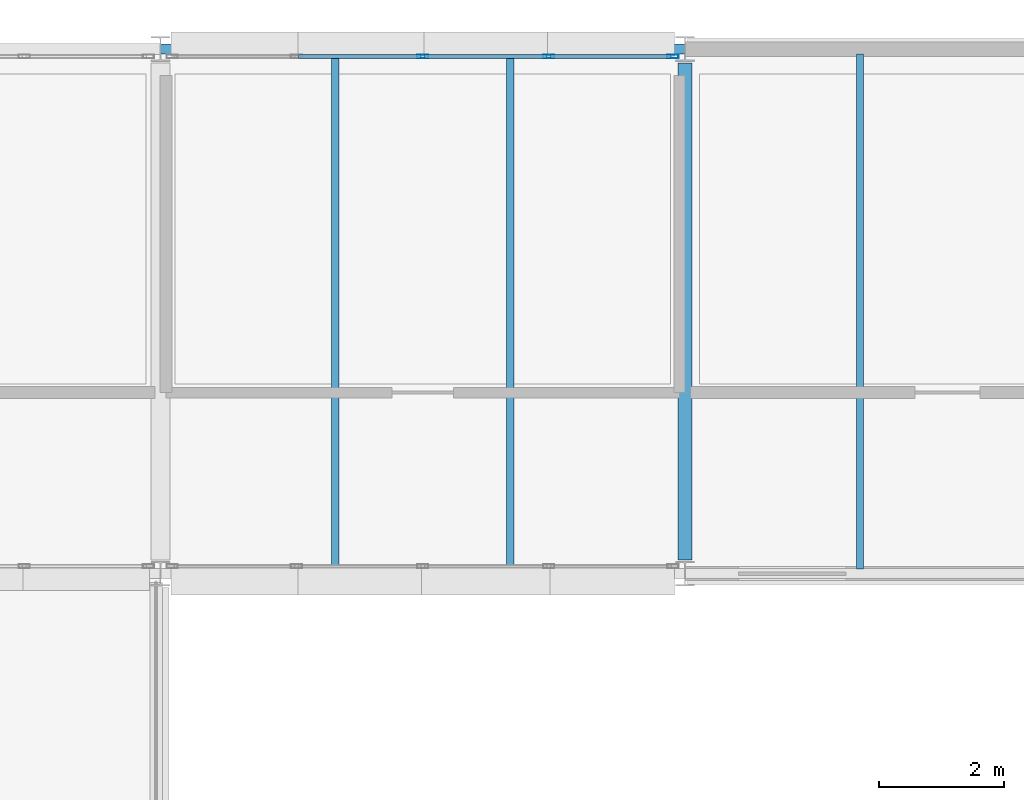
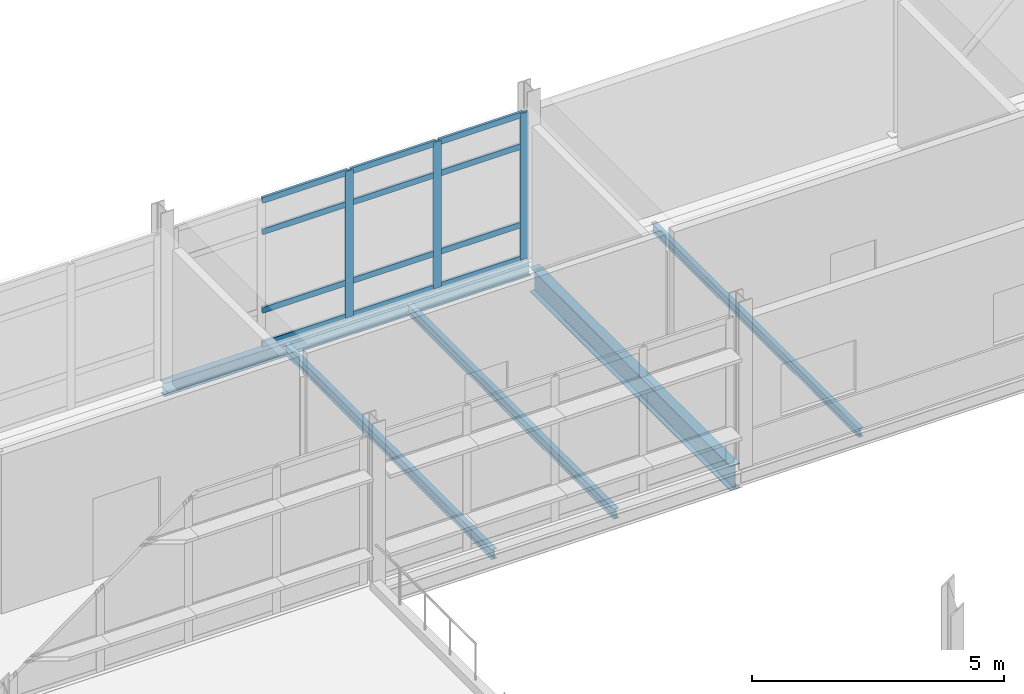
# One storey, part 26 of 66: 15 members, 5 beams, 1 element without a shape of its own.
"""IFC4 building model written with IfcOpenShell, lengths in metres."""

from ifc_helpers import new_model, si_unit, direction, frame, origin, origin_2d, place, context, subcontext, project, spatial, hollow_rectangle, i_section, extrude, material, material_profile, profile_set, type_object, element, aggregate, save


model = new_model("IFC4")

# Units and contexts
model_context = context("Model", 3, precision=1e-05, world=origin(), true_north=direction((0.0, 1.0)))
body_context = subcontext(model_context, "Body", "Model", "MODEL_VIEW")
ifc_project = project(units=[si_unit("LENGTHUNIT", "METRE"), si_unit("AREAUNIT", "SQUARE_METRE"), si_unit("VOLUMEUNIT", "CUBIC_METRE"), si_unit("PLANEANGLEUNIT", "RADIAN"), si_unit("MASSUNIT", "GRAM", prefix="KILO")], contexts=[model_context])

# Site, building, storey
site_placement = place(None, origin())
site = spatial("IfcSite", under=ifc_project, at=site_placement, CompositionType="ELEMENT")
building_placement = place(site_placement, origin())
building = spatial("IfcBuilding", under=site, at=building_placement, Name="Mersafa Astral City Hall", CompositionType="ELEMENT")
storey_placement = place(building_placement, frame((0.0, 0.0, 22.050048828125)))
storey = spatial("IfcBuildingStorey", under=building, at=storey_placement, Name="L05", CompositionType="ELEMENT", Elevation=22.050048828125)

# Curtain wall, members
ifc_material_1 = material(Name="Anodised bronze aluminium framing", Category="aluminium")
curtain_wall_type = type_object("IfcCurtainWallType", Name="ENV-CW-2", PredefinedType="USERDEFINED", material=ifc_material_1)
curtain_wall_placement = place(storey_placement, origin())
curtain_wall = element("IfcCurtainWall", 1, at=curtain_wall_placement, inside=storey, type_object=curtain_wall_type, Name="L05 Unitised solar curtain wall 229", ObjectType="UNITISED CURTAIN WALL", PredefinedType="USERDEFINED")
ifc_material_profile_1 = material_profile(ifc_material_1, hollow_rectangle(XDim=0.06005859375, YDim=0.179931640625, WallThickness=0.00390625, at=origin_2d()), Name="RHS 60x180x4")
ifc_profile_set_1 = profile_set([ifc_material_profile_1], Name="Anodised bronze aluminium framing")
member_type_1 = type_object("IfcMemberType", Name="ENV-CW-MUL-1", PredefinedType="MULLION", material=ifc_profile_set_1)
member_1_placement = place(storey_placement, frame((125.80810546875, 125.8798828125, -0.001953125), z_axis=(0.0, 0.0, 1.0), x_axis=(0.0, -1.0, 0.0)))
member_1 = element("IfcMember", 2, at=member_1_placement, type_object=member_type_1, Name="CW-2 mullion 1", PredefinedType="MULLION", context=body_context, shape_type="SweptSolid", body=[
    extrude(hollow_rectangle(XDim=0.06005859375, YDim=0.179931640625, WallThickness=0.00390625, at=origin_2d()), origin(), (0.0, 0.0, 1.0), 3.5439453125),
])
member_2_placement = place(storey_placement, frame((123.819091796875, 125.8798828125, -0.001953125), z_axis=(0.0, 0.0, 1.0), x_axis=(0.0, -1.0, 0.0)))
member_2 = element("IfcMember", 3, at=member_2_placement, type_object=member_type_1, Name="CW-2 mullion 2", PredefinedType="MULLION", context=body_context, shape_type="SweptSolid", body=[
    extrude(hollow_rectangle(XDim=0.06005859375, YDim=0.179931640625, WallThickness=0.00390625, at=origin_2d()), origin(), (0.0, 0.0, 1.0), 3.5439453125),
])
member_3_placement = place(storey_placement, frame((121.800048828125, 125.8798828125, -0.001953125), z_axis=(0.0, 0.0, 1.0), x_axis=(0.0, -1.0, 0.0)))
member_3 = element("IfcMember", 4, at=member_3_placement, type_object=member_type_1, Name="CW-2 mullion 3", PredefinedType="MULLION", context=body_context, shape_type="SweptSolid", body=[
    extrude(hollow_rectangle(XDim=0.06005859375, YDim=0.179931640625, WallThickness=0.00390625, at=origin_2d()), origin(), (0.0, 0.0, 1.0), 3.5439453125),
])
ifc_material_profile_2 = material_profile(ifc_material_1, hollow_rectangle(XDim=0.06005859375, YDim=0.139892578125, WallThickness=0.00390625, at=origin_2d()), Name="RHS 60x140x4")
ifc_profile_set_2 = profile_set([ifc_material_profile_2], Name="Anodised bronze aluminium framing")
member_type_2 = type_object("IfcMemberType", Name="ENV-CW-TRN-1", PredefinedType="USERDEFINED", material=ifc_profile_set_2)
member_4_placement = place(storey_placement, frame((125.778076171875, 125.8798828125, 0.02783203125), z_axis=(-1.0, 0.0, 0.0), x_axis=(0.0, -1.0, 0.0)))
member_4 = element("IfcMember", 5, at=member_4_placement, type_object=member_type_2, Name="CW-2 transom 1.1", ObjectType="TRANSOM", PredefinedType="USERDEFINED", context=body_context, shape_type="SweptSolid", body=[
    extrude(hollow_rectangle(XDim=0.06005859375, YDim=0.139892578125, WallThickness=0.00390625, at=origin_2d()), origin(), (0.0, 0.0, 1.0), 1.928955078125),
])
member_5_placement = place(storey_placement, frame((125.778076171875, 125.8798828125, 0.849853515625), z_axis=(-1.0, 0.0, 0.0), x_axis=(0.0, -1.0, 0.0)))
member_5 = element("IfcMember", 6, at=member_5_placement, type_object=member_type_2, Name="CW-2 transom 1.2", ObjectType="TRANSOM", PredefinedType="USERDEFINED", context=body_context, shape_type="SweptSolid", body=[
    extrude(hollow_rectangle(XDim=0.06005859375, YDim=0.139892578125, WallThickness=0.00390625, at=origin_2d()), origin(), (0.0, 0.0, 1.0), 1.928955078125),
])
member_6_placement = place(storey_placement, frame((125.778076171875, 125.8798828125, 2.75), z_axis=(-1.0, 0.0, 0.0), x_axis=(0.0, -1.0, 0.0)))
member_6 = element("IfcMember", 7, at=member_6_placement, type_object=member_type_2, Name="CW-2 transom 1.3", ObjectType="TRANSOM", PredefinedType="USERDEFINED", context=body_context, shape_type="SweptSolid", body=[
    extrude(hollow_rectangle(XDim=0.06005859375, YDim=0.139892578125, WallThickness=0.00390625, at=origin_2d()), origin(), (0.0, 0.0, 1.0), 1.928955078125),
])
member_7_placement = place(storey_placement, frame((125.778076171875, 125.8798828125, 3.511962890625), z_axis=(-1.0, 0.0, 0.0), x_axis=(0.0, -1.0, 0.0)))
member_7 = element("IfcMember", 8, at=member_7_placement, type_object=member_type_2, Name="CW-2 transom 1.4", ObjectType="TRANSOM", PredefinedType="USERDEFINED", context=body_context, shape_type="SweptSolid", body=[
    extrude(hollow_rectangle(XDim=0.06005859375, YDim=0.139892578125, WallThickness=0.00390625, at=origin_2d()), origin(), (0.0, 0.0, 1.0), 1.928955078125),
])
member_8_placement = place(storey_placement, frame((123.7890625, 125.8798828125, 0.02783203125), z_axis=(-1.0, 0.0, 0.0), x_axis=(0.0, -1.0, 0.0)))
member_8 = element("IfcMember", 9, at=member_8_placement, type_object=member_type_2, Name="CW-2 transom 2.1", ObjectType="TRANSOM", PredefinedType="USERDEFINED", context=body_context, shape_type="SweptSolid", body=[
    extrude(hollow_rectangle(XDim=0.06005859375, YDim=0.139892578125, WallThickness=0.00390625, at=origin_2d()), origin(), (0.0, 0.0, 1.0), 1.958984375),
])
member_9_placement = place(storey_placement, frame((123.7890625, 125.8798828125, 0.849853515625), z_axis=(-1.0, 0.0, 0.0), x_axis=(0.0, -1.0, 0.0)))
member_9 = element("IfcMember", 10, at=member_9_placement, type_object=member_type_2, Name="CW-2 transom 2.2", ObjectType="TRANSOM", PredefinedType="USERDEFINED", context=body_context, shape_type="SweptSolid", body=[
    extrude(hollow_rectangle(XDim=0.06005859375, YDim=0.139892578125, WallThickness=0.00390625, at=origin_2d()), origin(), (0.0, 0.0, 1.0), 1.958984375),
])
member_10_placement = place(storey_placement, frame((123.7890625, 125.8798828125, 2.75), z_axis=(-1.0, 0.0, 0.0), x_axis=(0.0, -1.0, 0.0)))
member_10 = element("IfcMember", 11, at=member_10_placement, type_object=member_type_2, Name="CW-2 transom 2.3", ObjectType="TRANSOM", PredefinedType="USERDEFINED", context=body_context, shape_type="SweptSolid", body=[
    extrude(hollow_rectangle(XDim=0.06005859375, YDim=0.139892578125, WallThickness=0.00390625, at=origin_2d()), origin(), (0.0, 0.0, 1.0), 1.958984375),
])
member_11_placement = place(storey_placement, frame((123.7890625, 125.8798828125, 3.511962890625), z_axis=(-1.0, 0.0, 0.0), x_axis=(0.0, -1.0, 0.0)))
member_11 = element("IfcMember", 12, at=member_11_placement, type_object=member_type_2, Name="CW-2 transom 2.4", ObjectType="TRANSOM", PredefinedType="USERDEFINED", context=body_context, shape_type="SweptSolid", body=[
    extrude(hollow_rectangle(XDim=0.06005859375, YDim=0.139892578125, WallThickness=0.00390625, at=origin_2d()), origin(), (0.0, 0.0, 1.0), 1.958984375),
])
member_12_placement = place(storey_placement, frame((121.77001953125, 125.8798828125, 0.02783203125), z_axis=(-1.0, 0.0, 0.0), x_axis=(0.0, -1.0, 0.0)))
member_12 = element("IfcMember", 13, at=member_12_placement, type_object=member_type_2, Name="CW-2 transom 3.1", ObjectType="TRANSOM", PredefinedType="USERDEFINED", context=body_context, shape_type="SweptSolid", body=[
    extrude(hollow_rectangle(XDim=0.06005859375, YDim=0.139892578125, WallThickness=0.00390625, at=origin_2d()), origin(), (0.0, 0.0, 1.0), 1.958984375),
])
member_13_placement = place(storey_placement, frame((121.77001953125, 125.8798828125, 0.849853515625), z_axis=(-1.0, 0.0, 0.0), x_axis=(0.0, -1.0, 0.0)))
member_13 = element("IfcMember", 14, at=member_13_placement, type_object=member_type_2, Name="CW-2 transom 3.2", ObjectType="TRANSOM", PredefinedType="USERDEFINED", context=body_context, shape_type="SweptSolid", body=[
    extrude(hollow_rectangle(XDim=0.06005859375, YDim=0.139892578125, WallThickness=0.00390625, at=origin_2d()), origin(), (0.0, 0.0, 1.0), 1.958984375),
])
member_14_placement = place(storey_placement, frame((121.77001953125, 125.8798828125, 2.75), z_axis=(-1.0, 0.0, 0.0), x_axis=(0.0, -1.0, 0.0)))
member_14 = element("IfcMember", 15, at=member_14_placement, type_object=member_type_2, Name="CW-2 transom 3.3", ObjectType="TRANSOM", PredefinedType="USERDEFINED", context=body_context, shape_type="SweptSolid", body=[
    extrude(hollow_rectangle(XDim=0.06005859375, YDim=0.139892578125, WallThickness=0.00390625, at=origin_2d()), origin(), (0.0, 0.0, 1.0), 1.958984375),
])
member_15_placement = place(storey_placement, frame((121.77001953125, 125.8798828125, 3.511962890625), z_axis=(-1.0, 0.0, 0.0), x_axis=(0.0, -1.0, 0.0)))
member_15 = element("IfcMember", 16, at=member_15_placement, type_object=member_type_2, Name="CW-2 transom 3.4", ObjectType="TRANSOM", PredefinedType="USERDEFINED", context=body_context, shape_type="SweptSolid", body=[
    extrude(hollow_rectangle(XDim=0.06005859375, YDim=0.139892578125, WallThickness=0.00390625, at=origin_2d()), origin(), (0.0, 0.0, 1.0), 1.958984375),
])
aggregate(curtain_wall, [member_1, member_2, member_3, member_4, member_5, member_6, member_7, member_8, member_9, member_10, member_11, member_12, member_13, member_14, member_15])

# Beams
ifc_material_2 = material(Name="Steel S355", Category="steel")
ifc_material_profile_3 = material_profile(ifc_material_2, i_section(OverallWidth=0.219970703125, OverallDepth=0.60009765625, WebThickness=0.011962890625, FlangeThickness=0.01904296875, FilletRadius=0.02392578125, at=origin_2d()), Name="IPE 600")
ifc_profile_set_3 = profile_set([ifc_material_profile_3], Name="Steel S355")
beam_type_1 = type_object("IfcBeamType", Name="STR-BM-IPE600", PredefinedType="BEAM", material=ifc_profile_set_3)
beam_1_placement = place(storey_placement, frame((126.0, 117.820068359375, -0.47998046875), z_axis=(0.0, 1.0, 0.0), x_axis=(-1.0, 0.0, 0.0)))
element("IfcBeam", 17, at=beam_1_placement, inside=storey, type_object=beam_type_1, Name="L05 Primary girder Y 15-14", PredefinedType="BEAM", context=body_context, shape_type="SweptSolid", body=[
    extrude(i_section(OverallWidth=0.219970703125, OverallDepth=0.60009765625, WebThickness=0.011962890625, FlangeThickness=0.01904296875, FilletRadius=0.02392578125, at=origin_2d()), origin(), (0.0, 0.0, 1.0), 7.9599609375),
])
ifc_material_profile_4 = material_profile(ifc_material_2, i_section(OverallWidth=0.110107421875, OverallDepth=0.219970703125, WebThickness=0.005859375, FlangeThickness=0.00927734375, FilletRadius=0.011962890625, at=origin_2d()), Name="IPE 220")
ifc_profile_set_4 = profile_set([ifc_material_profile_4], Name="Steel S355")
beam_type_2 = type_object("IfcBeamType", Name="STR-BM-JOIST-IPE220", PredefinedType="JOIST", material=ifc_profile_set_4)
beam_2_placement = place(storey_placement, frame((128.800048828125, 117.675048828125, -0.2900390625), z_axis=(0.0, 1.0, 0.0), x_axis=(-1.0, 0.0, 0.0)))
element("IfcBeam", 18, at=beam_2_placement, inside=storey, type_object=beam_type_2, Name="L05 Composite secondary floor joist 805", PredefinedType="JOIST", context=body_context, shape_type="SweptSolid", body=[
    extrude(i_section(OverallWidth=0.110107421875, OverallDepth=0.219970703125, WebThickness=0.005859375, FlangeThickness=0.00927734375, FilletRadius=0.011962890625, at=origin_2d()), origin(), (0.0, 0.0, 1.0), 8.244873046875),
])
ifc_material_profile_5 = material_profile(ifc_material_2, i_section(OverallWidth=0.1201171875, OverallDepth=0.239990234375, WebThickness=0.006103515625, FlangeThickness=0.009765625, FilletRadius=0.014892578125, at=origin_2d()), Name="IPE 240")
ifc_profile_set_5 = profile_set([ifc_material_profile_5], Name="Steel S355")
beam_type_3 = type_object("IfcBeamType", Name="STR-BM-JOIST-IPE240", PredefinedType="JOIST", material=ifc_profile_set_5)
for number, where, z_axis, x_axis, name in (
    (19, (120.39990234375, 117.679931640625, -0.300048828125), (0.0, 1.0, 0.0), (-1.0, 0.0, 0.0), "L05 Composite secondary floor joist 803"),
    (20, (123.199951171875, 117.679931640625, -0.300048828125), (0.0, 1.0, 0.0), (-1.0, 0.0, 0.0), "L05 Composite secondary floor joist 804"),
):
    element("IfcBeam", number, at=place(storey_placement, frame(where, z_axis=z_axis, x_axis=x_axis)), inside=storey, type_object=beam_type_3, Name=name, PredefinedType="JOIST", context=body_context, shape_type="SweptSolid", body=[
        extrude(i_section(OverallWidth=0.1201171875, OverallDepth=0.239990234375, WebThickness=0.006103515625, FlangeThickness=0.009765625, FilletRadius=0.014892578125, at=origin_2d()), origin(), (0.0, 0.0, 1.0), 8.2451171875),
    ])
ifc_material_profile_6 = material_profile(ifc_material_2, i_section(OverallWidth=0.159912109375, OverallDepth=0.330078125, WebThickness=0.007568359375, FlangeThickness=0.011474609375, FilletRadius=0.01806640625, at=origin_2d()), Name="IPE 330")
ifc_profile_set_6 = profile_set([ifc_material_profile_6], Name="Steel S355")
beam_type_4 = type_object("IfcBeamType", Name="STR-BM-SPANDREL-IPE330", PredefinedType="SPANDREL", material=ifc_profile_set_6)
beam_3_placement = place(storey_placement, frame((117.60302734375, 126.0, -0.344970703125), z_axis=(1.0, 0.0, 0.0), x_axis=(0.0, 1.0, 0.0)))
element("IfcBeam", 21, at=beam_3_placement, inside=storey, type_object=beam_type_4, Name="L05 Primary girder X 14-15", PredefinedType="SPANDREL", context=body_context, shape_type="SweptSolid", body=[
    extrude(i_section(OverallWidth=0.159912109375, OverallDepth=0.330078125, WebThickness=0.007568359375, FlangeThickness=0.011474609375, FilletRadius=0.01806640625, at=origin_2d()), origin(), (0.0, 0.0, 1.0), 8.39404296875),
])

save(model, "model.ifc")
